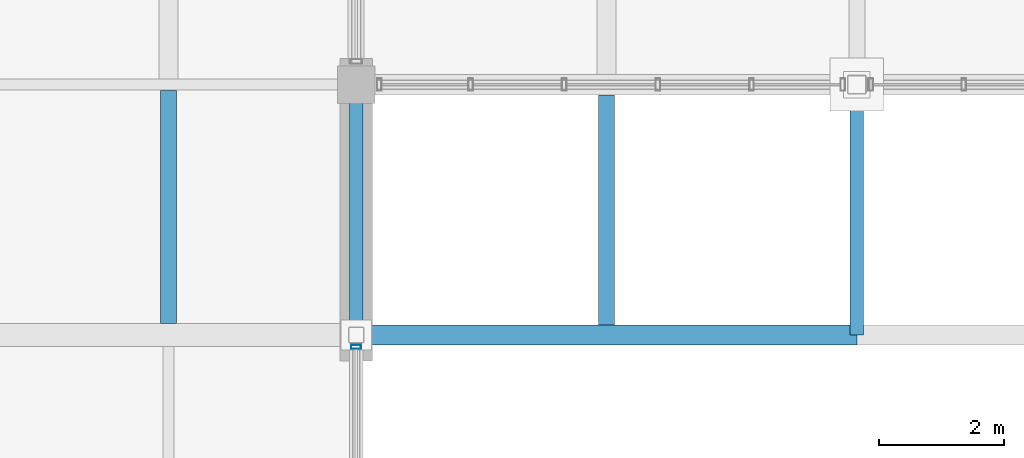
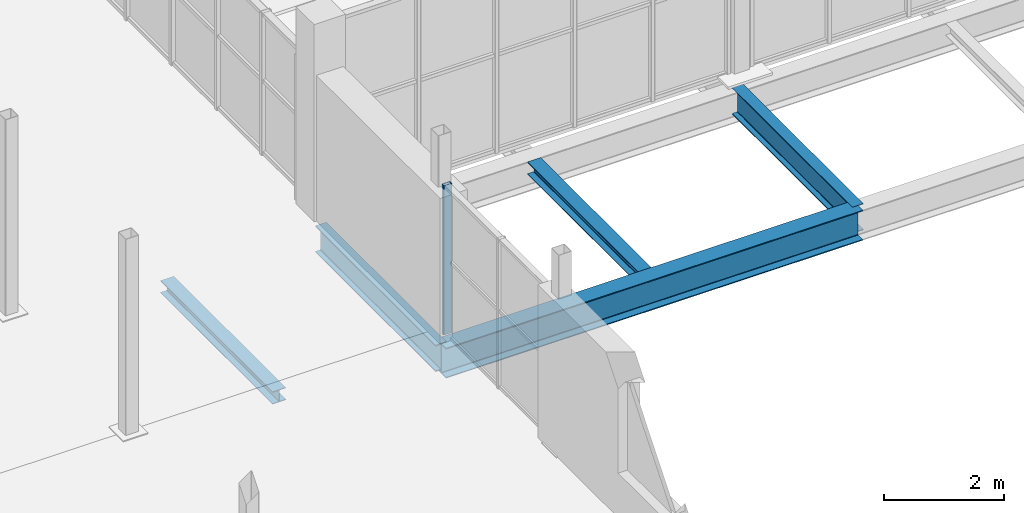
# One storey, part 31 of 96: 5 beams, 1 member, 1 element without a shape of its own.
"""IFC4 building model written with IfcOpenShell, lengths in metres."""

from ifc_helpers import new_model, si_unit, direction, frame, origin, origin_2d, place, context, subcontext, project, spatial, hollow_rectangle, i_section, extrude, material, material_profile, profile_set, type_object, element, aggregate, save


model = new_model("IFC4")

# Units and contexts
model_context = context("Model", 3, precision=1e-05, world=origin(), true_north=direction((0.0, 1.0)))
body_context = subcontext(model_context, "Body", "Model", "MODEL_VIEW")
ifc_project = project(units=[si_unit("LENGTHUNIT", "METRE"), si_unit("AREAUNIT", "SQUARE_METRE"), si_unit("VOLUMEUNIT", "CUBIC_METRE"), si_unit("PLANEANGLEUNIT", "RADIAN"), si_unit("MASSUNIT", "GRAM", prefix="KILO")], contexts=[model_context])

# Site, building, storey
site_placement = place(None, origin())
site = spatial("IfcSite", under=ifc_project, at=site_placement, CompositionType="ELEMENT")
building_placement = place(site_placement, origin())
building = spatial("IfcBuilding", under=site, at=building_placement, Name="Verrall Gate Interchange", CompositionType="ELEMENT")
storey_placement = place(building_placement, frame((0.0, 0.0, 11.39990234375)))
storey = spatial("IfcBuildingStorey", under=building, at=storey_placement, Name="L03", CompositionType="ELEMENT", Elevation=11.39990234375)

# Beams
ifc_material_1 = material(Name="Structural Steel CSA G40.21 350WT Cat 4", Category="steel")
ifc_material_profile_1 = material_profile(ifc_material_1, i_section(OverallWidth=0.323974609375, OverallDepth=0.611083984375, WebThickness=0.0126953125, FlangeThickness=0.01904296875, FilletRadius=0.014892578125, at=origin_2d()), Name="W610x155")
ifc_profile_set_1 = profile_set([ifc_material_profile_1], Name="Structural Steel CSA G40.21 350WT Cat 4")
beam_type_1 = type_object("IfcBeamType", Name="B-08 Structural Beam W610x155", PredefinedType="BEAM", material=ifc_profile_set_1)
beam_1_placement = place(storey_placement, frame((36.0, 44.0, -0.635498046875), z_axis=(1.0, 0.0, 0.0), x_axis=(0.0, 1.0, 0.0)))
element("IfcBeam", 1, at=beam_1_placement, inside=storey, type_object=beam_type_1, Name="L03 Girder BM-L03-2091 (B-08)", PredefinedType="BEAM", context=body_context, shape_type="SweptSolid", body=[
    extrude(i_section(OverallWidth=0.323974609375, OverallDepth=0.611083984375, WebThickness=0.0126953125, FlangeThickness=0.01904296875, FilletRadius=0.014892578125, at=origin_2d()), origin(), (0.0, 0.0, 1.0), 8.0),
])
ifc_material_2 = material(Name="Structural Steel CSA G40.21 350W", Category="steel")
ifc_material_profile_2 = material_profile(ifc_material_2, i_section(OverallWidth=0.2109375, OverallDepth=0.5390625, WebThickness=0.01171875, FlangeThickness=0.018798828125, FilletRadius=0.013916015625, at=origin_2d()), Name="W530x109")
ifc_profile_set_2 = profile_set([ifc_material_profile_2], Name="Structural Steel CSA G40.21 350W")
beam_type_2 = type_object("IfcBeamType", Name="B-10 Structural Beam W530x109", PredefinedType="BEAM", material=ifc_profile_set_2)
for number, where, z_axis, x_axis, name in (
    (2, (36.0, 44.0, -0.599365234375), (0.0, 1.0, 0.0), (-1.0, 0.0, 0.0), "L03 Girder BM-L03-2266 (B-10)"),
    (3, (44.0, 44.0, -0.599365234375), (0.0, 1.0, 0.0), (-1.0, 0.0, 0.0), "L03 Girder BM-L03-2275 (B-10)"),
):
    element("IfcBeam", number, at=place(storey_placement, frame(where, z_axis=z_axis, x_axis=x_axis)), inside=storey, type_object=beam_type_2, Name=name, PredefinedType="BEAM", context=body_context, shape_type="SweptSolid", body=[
        extrude(i_section(OverallWidth=0.2109375, OverallDepth=0.5390625, WebThickness=0.01171875, FlangeThickness=0.018798828125, FilletRadius=0.013916015625, at=origin_2d()), origin(), (0.0, 0.0, 1.0), 4.0),
    ])

# Curtain wall, member
ifc_material_3 = material(Name="Thermally Broken Anodized Aluminium Curtain Wall Framing", Category="aluminium")
curtain_wall_type = type_object("IfcCurtainWallType", Name="CW-32 Unitized Curtain Wall 3682x3030", PredefinedType="NOTDEFINED", material=ifc_material_3)
curtain_wall_placement = place(storey_placement, origin())
curtain_wall = element("IfcCurtainWall", 4, at=curtain_wall_placement, inside=storey, type_object=curtain_wall_type, Name="L03 Unitized Curtain Wall CW-L03-106", PredefinedType="NOTDEFINED")
ifc_material_4 = material(Name="Thermally Broken Anodized Aluminium Curtain Wall Framing", Category="aluminium")
ifc_material_profile_3 = material_profile(ifc_material_4, hollow_rectangle(XDim=0.06494140625, YDim=0.159912109375, WallThickness=0.00390625, InnerFilletRadius=0.00390625, OuterFilletRadius=0.008056640625, at=origin_2d()), Name="CWM160x65x4")
ifc_profile_set_3 = profile_set([ifc_material_profile_3], Name="Thermally Broken Anodized Aluminium Curtain Wall Framing")
member_type = type_object("IfcMemberType", Name="CM-01 Curtain Mullion CWM160x65x4", PredefinedType="MULLION", material=ifc_profile_set_3)
member_placement = place(storey_placement, frame((36.0, 43.80859375, 0.0), z_axis=(0.0, 0.0, 1.0), x_axis=(0.0, 1.0, 0.0)))
member = element("IfcMember", 5, at=member_placement, type_object=member_type, Name="CW-L03-106 Mullion 3", PredefinedType="MULLION", context=body_context, shape_type="SweptSolid", body=[
    extrude(hollow_rectangle(XDim=0.06494140625, YDim=0.159912109375, WallThickness=0.00390625, InnerFilletRadius=0.00390625, OuterFilletRadius=0.008056640625, at=origin_2d()), origin(), (0.0, 0.0, 1.0), 3.030029296875),
])
aggregate(curtain_wall, [member])

# Beams
ifc_material_5 = material(Name="Structural Steel CSA G40.21 350W", Category="steel")
ifc_material_profile_4 = material_profile(ifc_material_5, i_section(OverallWidth=0.25390625, OverallDepth=0.2529296875, WebThickness=0.008544921875, FlangeThickness=0.01416015625, FilletRadius=0.011962890625, at=origin_2d()), Name="W250x73")
ifc_profile_set_4 = profile_set([ifc_material_profile_4], Name="Structural Steel CSA G40.21 350W")
beam_type_3 = type_object("IfcBeamType", Name="J-05 Floor Joist W250x73", PredefinedType="JOIST", material=ifc_profile_set_4)
beam_2_placement = place(storey_placement, frame((33.0, 44.1845703125, -0.456298828125), z_axis=(0.0, 1.0, 0.0), x_axis=(-1.0, 0.0, 0.0)))
element("IfcBeam", 6, at=beam_2_placement, inside=storey, type_object=beam_type_3, Name="L03 Secondary Floor Joist JST-L03-2467", PredefinedType="JOIST", context=body_context, shape_type="SweptSolid", body=[
    extrude(i_section(OverallWidth=0.25390625, OverallDepth=0.2529296875, WebThickness=0.008544921875, FlangeThickness=0.01416015625, FilletRadius=0.011962890625, at=origin_2d()), origin(), (0.0, 0.0, 1.0), 3.725830078125),
])
beam_3_placement = place(storey_placement, frame((40.0, 44.162109375, -0.456298828125), z_axis=(0.0, 1.0, 0.0), x_axis=(-1.0, 0.0, 0.0)))
element("IfcBeam", 7, at=beam_3_placement, inside=storey, type_object=beam_type_3, Name="L03 Secondary Floor Joist JST-L03-2468", PredefinedType="JOIST", context=body_context, shape_type="SweptSolid", body=[
    extrude(i_section(OverallWidth=0.25390625, OverallDepth=0.2529296875, WebThickness=0.008544921875, FlangeThickness=0.01416015625, FilletRadius=0.011962890625, at=origin_2d()), origin(), (0.0, 0.0, 1.0), 3.67578125),
])

save(model, "model.ifc")
